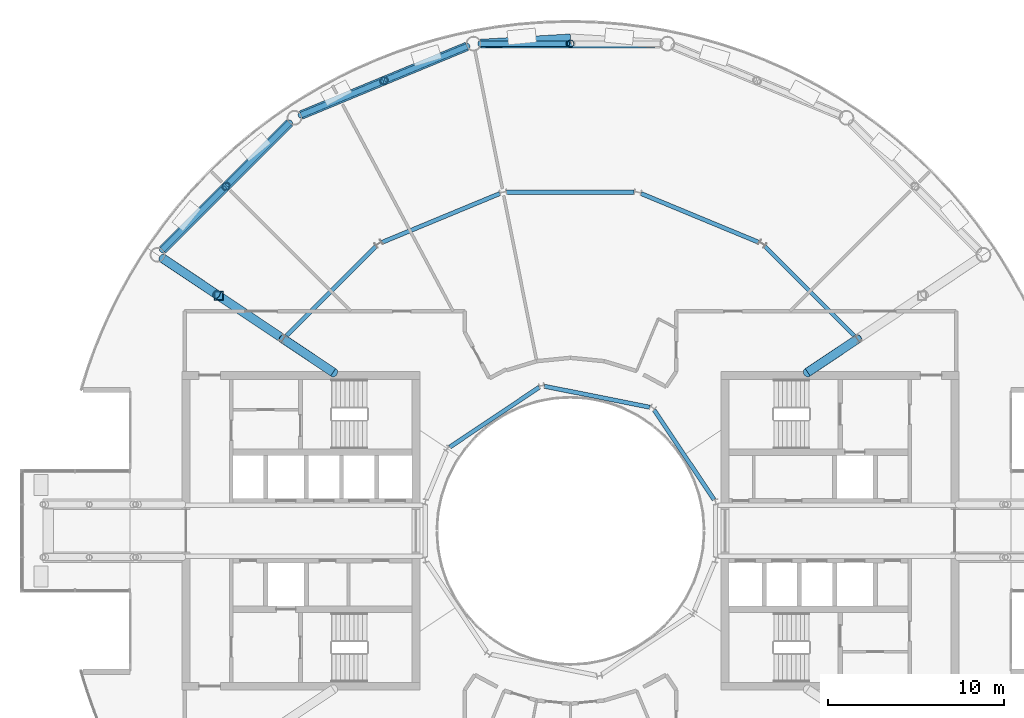
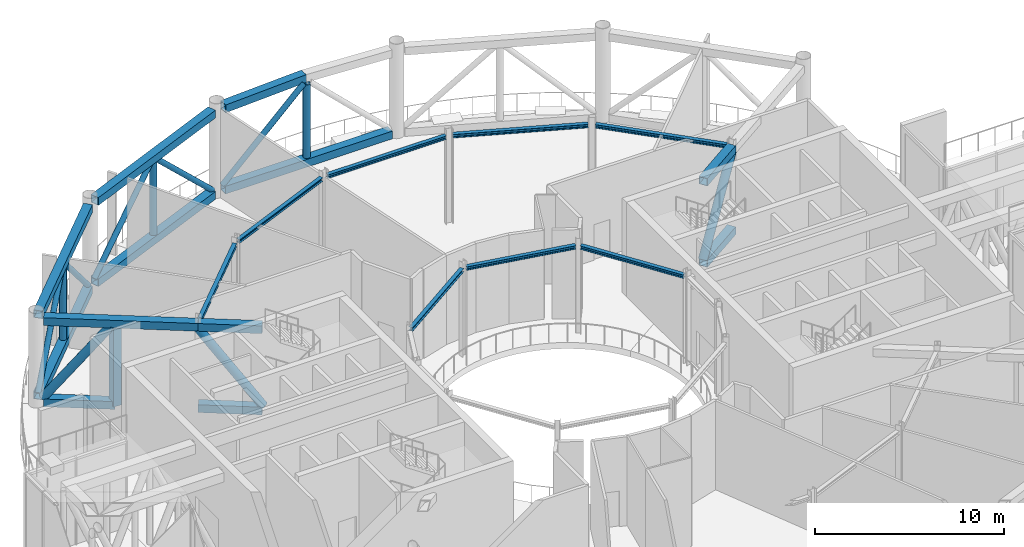
# One storey, part 9 of 24: 20 beams, 12 members.
"""IFC4 building model written with IfcOpenShell, lengths in metres."""

from ifc_helpers import new_model, si_unit, direction, frame, origin, origin_2d, place, context, subcontext, project, spatial, hollow_rectangle, hollow_circle, i_section, extrude, material, material_profile, profile_set, type_object, element, save


model = new_model("IFC4")

# Units and contexts
model_context = context("Model", 3, precision=1e-05, world=origin(), true_north=direction((0.0, 1.0)))
body_context = subcontext(model_context, "Body", "Model", "MODEL_VIEW")
ifc_project = project(units=[si_unit("LENGTHUNIT", "METRE"), si_unit("AREAUNIT", "SQUARE_METRE"), si_unit("VOLUMEUNIT", "CUBIC_METRE"), si_unit("PLANEANGLEUNIT", "RADIAN"), si_unit("MASSUNIT", "GRAM", prefix="KILO")], contexts=[model_context])

# Site, building, storey
site_placement = place(None, origin())
site = spatial("IfcSite", under=ifc_project, at=site_placement, CompositionType="ELEMENT")
building_placement = place(site_placement, origin())
building = spatial("IfcBuilding", under=site, at=building_placement, Name="Maasbend Ring Residences", CompositionType="ELEMENT")
storey_placement = place(building_placement, frame((0.0, 0.0, 221.85009765625)))
storey = spatial("IfcBuildingStorey", under=building, at=storey_placement, Name="L64", CompositionType="ELEMENT", Elevation=221.85009765625)

# Beams
ifc_material_1 = material(Name="Steel S460M", Category="steel")
ifc_material_profile_1 = material_profile(ifc_material_1, hollow_rectangle(XDim=0.5, YDim=0.5, WallThickness=0.030029296875, at=origin_2d()), Name="Belt truss chord BX 500x500x30")
ifc_profile_set_1 = profile_set([ifc_material_profile_1], Name="Steel S460M")
beam_type_1 = type_object("IfcBeamType", Name="Belt truss chord BX 500x500x30", PredefinedType="BEAM", material=ifc_profile_set_1)
beam_1_placement = place(storey_placement, frame((5.094970703125, 27.658203125, 0.25), z_axis=(-1.0, 0.0, 0.0), x_axis=(0.0, -1.0, 0.0)))
element("IfcBeam", 1, at=beam_1_placement, inside=storey, type_object=beam_type_1, Name="Belt truss", PredefinedType="BEAM", context=body_context, shape_type="SweptSolid", body=[
    extrude(hollow_rectangle(XDim=0.5, YDim=0.5, WallThickness=0.030029296875, at=origin_2d()), origin(), (0.0, 0.0, 1.0), 10.18994140625),
])
beam_2_placement = place(storey_placement, frame((0.0, 27.9580078125, 5.5), z_axis=(-0.998273218339, -0.058741650875, 0.0), x_axis=(0.058741650875, -0.998273218339, 0.0)))
element("IfcBeam", 2, at=beam_2_placement, inside=storey, type_object=beam_type_1, Name="Belt truss", PredefinedType="BEAM", context=body_context, shape_type="SweptSolid", body=[
    extrude(hollow_rectangle(XDim=0.5, YDim=0.5, WallThickness=0.030029296875, at=origin_2d()), origin(), (0.0, 0.0, 1.0), 5.103759765625),
])
for number, where, z_axis, x_axis, name in (
    (3, (-5.877197265625, 27.50244140625, 0.25), (-0.923883676188, -0.382673428492, 0.0), (0.382673428492, -0.923883676188, 0.0), "Belt truss"),
    (4, (-5.877197265625, 27.50244140625, 5.5), (-0.923883676188, -0.382673428492, 0.0), (0.382673428492, -0.923883676188, 0.0), "Belt truss"),
    (5, (-15.95458984375, 23.159912109375, 0.25), (-0.707106781187, -0.707106781187, 0.0), (0.707106781187, -0.707106781187, 0.0), "Belt truss"),
    (6, (-15.95458984375, 23.159912109375, 5.5), (-0.707106781187, -0.707106781187, 0.0), (0.707106781187, -0.707106781187, 0.0), "Belt truss"),
):
    element("IfcBeam", number, at=place(storey_placement, frame(where, z_axis=z_axis, x_axis=x_axis)), inside=storey, type_object=beam_type_1, Name=name, PredefinedType="BEAM", context=body_context, shape_type="SweptSolid", body=[
        extrude(hollow_rectangle(XDim=0.5, YDim=0.5, WallThickness=0.030029296875, at=origin_2d()), origin(), (0.0, 0.0, 1.0), 10.18994140625),
    ])

# Members
ifc_material_2 = material(Name="Steel S460NH", Category="steel")
ifc_material_profile_2 = material_profile(ifc_material_2, hollow_circle(Radius=0.161865234375, WallThickness=0.012451171875, at=origin_2d()), Name="Belt truss diagonal CHS 323.9x12.5")
ifc_profile_set_2 = profile_set([ifc_material_profile_2], Name="Steel S460NH")
member_type_1 = type_object("IfcMemberType", Name="Belt truss diagonal CHS 323.9x12.5", PredefinedType="BRACE", material=ifc_profile_set_2)
for number, where, z_axis, x_axis, name in (
    (7, (-0.151611328125, 27.658203125, 5.2998046875), (-0.7174451099, 0.0, -0.696615040235), (0.0, -1.0, 0.0), "Belt truss diagonal"),
    (8, (-5.82958984375, 27.522216796875, 0.449951171875), (-0.662822090686, -0.274548126976, 0.696627735647), (0.38268132365, -0.923880405967, 0.0), "Belt truss diagonal"),
    (9, (-10.724609375, 25.49462890625, 5.2998046875), (-0.662822090686, -0.274548126976, -0.696627735647), (0.38268132365, -0.923880405967, 0.0), "Belt truss diagonal"),
    (10, (-15.918212890625, 23.1962890625, 0.449951171875), (-0.50729843003, -0.50729843003, 0.69663233185), (0.707106781187, -0.707106781187, 0.0), "Belt truss diagonal"),
    (11, (-19.66455078125, 19.449951171875, 5.2998046875), (-0.50729843003, -0.50729843003, -0.69663233185), (0.707106781187, -0.707106781187, 0.0), "Belt truss diagonal"),
):
    element("IfcMember", number, at=place(storey_placement, frame(where, z_axis=z_axis, x_axis=x_axis)), inside=storey, type_object=member_type_1, Name=name, PredefinedType="BRACE", context=body_context, shape_type="SweptSolid", body=[
        extrude(hollow_circle(Radius=0.161865234375, WallThickness=0.012451171875, at=origin_2d()), origin(), (0.0, 0.0, 1.0), 6.9619140625),
    ])
ifc_material_3 = material(Name="Steel S460NH", Category="steel")
ifc_material_profile_3 = material_profile(ifc_material_3, hollow_circle(Radius=0.203125, WallThickness=0.01611328125, at=origin_2d()), Name="Belt truss post CHS 406.4x16")
ifc_profile_set_3 = profile_set([ifc_material_profile_3], Name="Steel S460NH")
member_type_2 = type_object("IfcMemberType", Name="Belt truss post CHS 406.4x16", PredefinedType="POST", material=ifc_profile_set_3)
for number, where, z_axis, x_axis, name in (
    (12, (0.0, 27.658203125, 0.5), (0.0, 0.0, 1.0), (1.0, 0.0, 0.0), "Belt truss post"),
    (13, (-10.584228515625, 25.552734375, 0.5), (0.0, 0.0, 1.0), (1.0, 0.0, 0.0), "Belt truss post"),
    (14, (-19.55712890625, 19.55712890625, 0.5), (0.0, 0.0, 1.0), (1.0, 0.0, 0.0), "Belt truss post"),
):
    element("IfcMember", number, at=place(storey_placement, frame(where, z_axis=z_axis, x_axis=x_axis)), inside=storey, type_object=member_type_2, Name=name, PredefinedType="POST", context=body_context, shape_type="SweptSolid", body=[
        extrude(hollow_circle(Radius=0.203125, WallThickness=0.01611328125, at=origin_2d()), origin(), (0.0, 0.0, 1.0), 4.75),
    ])

# Beams
ifc_material_4 = material(Name="Steel S355J2", Category="steel")
ifc_material_profile_4 = material_profile(ifc_material_4, i_section(OverallWidth=0.239990234375, OverallDepth=0.22998046875, WebThickness=0.007568359375, FlangeThickness=0.011962890625, FilletRadius=0.02099609375, at=origin_2d()), Name="HEA 240")
ifc_profile_set_4 = profile_set([ifc_material_profile_4], Name="Steel S355J2")
beam_type_2 = type_object("IfcBeamType", Name="Corridor ring beam HEA 240", PredefinedType="BEAM", material=ifc_profile_set_4)
beam_3_placement = place(storey_placement, frame((16.152587890625, 11.033447265625, 5.635009765625), z_axis=(-0.707106781187, 0.707106781187, 0.0), x_axis=(-0.707106781187, -0.707106781187, 0.0)))
element("IfcBeam", 15, at=beam_3_placement, inside=storey, type_object=beam_type_2, Name="Corridor ring beam", PredefinedType="BEAM", context=body_context, shape_type="SweptSolid", body=[
    extrude(i_section(OverallWidth=0.239990234375, OverallDepth=0.22998046875, WebThickness=0.007568359375, FlangeThickness=0.011962890625, FilletRadius=0.02099609375, at=origin_2d()), origin(), (0.0, 0.0, 1.0), 7.239501953125),
])
for number, where, z_axis, x_axis, name in (
    (16, (10.70068359375, 16.374755859375, 5.635009765625), (-0.923865162022, 0.382718123952, 0.0), (-0.382718123952, -0.923865162022, 0.0), "Corridor ring beam"),
    (17, (3.619873046875, 19.223388671875, 5.635009765625), (-1.0, 0.0, 0.0), (0.0, -1.0, 0.0), "Corridor ring beam"),
    (18, (-4.01220703125, 19.1455078125, 5.635009765625), (-0.923865162022, -0.382718123952, 0.0), (0.382718123952, -0.923865162022, 0.0), "Corridor ring beam"),
):
    element("IfcBeam", number, at=place(storey_placement, frame(where, z_axis=z_axis, x_axis=x_axis)), inside=storey, type_object=beam_type_2, Name=name, PredefinedType="BEAM", context=body_context, shape_type="SweptSolid", body=[
        extrude(i_section(OverallWidth=0.239990234375, OverallDepth=0.22998046875, WebThickness=0.007568359375, FlangeThickness=0.011962890625, FilletRadius=0.02099609375, at=origin_2d()), origin(), (0.0, 0.0, 1.0), 7.23974609375),
    ])
beam_4_placement = place(storey_placement, frame((-11.033447265625, 16.152587890625, 5.635009765625), z_axis=(-0.707106781187, -0.707106781187, 0.0), x_axis=(0.707106781187, -0.707106781187, 0.0)))
element("IfcBeam", 19, at=beam_4_placement, inside=storey, type_object=beam_type_2, Name="Corridor ring beam", PredefinedType="BEAM", context=body_context, shape_type="SweptSolid", body=[
    extrude(i_section(OverallWidth=0.239990234375, OverallDepth=0.22998046875, WebThickness=0.007568359375, FlangeThickness=0.011962890625, FilletRadius=0.02099609375, at=origin_2d()), origin(), (0.0, 0.0, 1.0), 7.239501953125),
])
ifc_material_5 = material(Name="Steel S460M", Category="steel")
ifc_material_profile_5 = material_profile(ifc_material_5, hollow_rectangle(XDim=0.5, YDim=0.5, WallThickness=0.030029296875, at=origin_2d()), Name="Outrigger truss chord BX 500x500x30")
ifc_profile_set_5 = profile_set([ifc_material_profile_5], Name="Steel S460M")
beam_type_3 = type_object("IfcBeamType", Name="Outrigger truss chord BX 500x500x30", PredefinedType="BEAM", material=ifc_profile_set_5)
for number, where, z_axis, x_axis, name in (
    (20, (16.2900390625, 10.884765625, 0.25), (-0.831451918965, -0.555596712058, 0.0), (0.555596712058, -0.831451918965, 0.0), "Outrigger truss"),
    (21, (16.2900390625, 10.884765625, 5.5), (-0.831451918965, -0.555596712058, 0.0), (0.555596712058, -0.831451918965, 0.0), "Outrigger truss"),
):
    element("IfcBeam", number, at=place(storey_placement, frame(where, z_axis=z_axis, x_axis=x_axis)), inside=storey, type_object=beam_type_3, Name=name, PredefinedType="BEAM", context=body_context, shape_type="SweptSolid", body=[
        extrude(hollow_rectangle(XDim=0.5, YDim=0.5, WallThickness=0.030029296875, at=origin_2d()), origin(), (0.0, 0.0, 1.0), 3.392333984375),
    ])
beam_5_placement = place(storey_placement, frame((-23.109375, 15.44140625, 0.25), z_axis=(0.831444556462, -0.555607729904, 0.0), x_axis=(0.555607729904, 0.831444556462, 0.0)))
element("IfcBeam", 22, at=beam_5_placement, inside=storey, type_object=beam_type_3, Name="Outrigger truss", PredefinedType="BEAM", context=body_context, shape_type="SweptSolid", body=[
    extrude(hollow_rectangle(XDim=0.5, YDim=0.5, WallThickness=0.030029296875, at=origin_2d()), origin(), (0.0, 0.0, 1.0), 3.78564453125),
])
beam_6_placement = place(storey_placement, frame((-23.109375, 15.44140625, 5.5), z_axis=(0.831453297605, -0.555594648914, 0.0), x_axis=(0.555594648914, 0.831453297605, 0.0)))
element("IfcBeam", 23, at=beam_6_placement, inside=storey, type_object=beam_type_3, Name="Outrigger truss", PredefinedType="BEAM", context=body_context, shape_type="SweptSolid", body=[
    extrude(hollow_rectangle(XDim=0.5, YDim=0.5, WallThickness=0.030029296875, at=origin_2d()), origin(), (0.0, 0.0, 1.0), 8.185546875),
])
for number, where, z_axis, x_axis, name in (
    (24, (-16.2900390625, 10.884765625, 0.25), (0.831451918965, -0.555596712058, 0.0), (0.555596712058, 0.831451918965, 0.0), "Outrigger truss"),
    (25, (-16.2900390625, 10.884765625, 5.5), (0.831451918965, -0.555596712058, 0.0), (0.555596712058, 0.831451918965, 0.0), "Outrigger truss"),
):
    element("IfcBeam", number, at=place(storey_placement, frame(where, z_axis=z_axis, x_axis=x_axis)), inside=storey, type_object=beam_type_3, Name=name, PredefinedType="BEAM", context=body_context, shape_type="SweptSolid", body=[
        extrude(hollow_rectangle(XDim=0.5, YDim=0.5, WallThickness=0.030029296875, at=origin_2d()), origin(), (0.0, 0.0, 1.0), 3.392333984375),
    ])

# Members
ifc_material_6 = material(Name="Steel S460NH", Category="steel")
ifc_material_profile_6 = material_profile(ifc_material_6, hollow_circle(Radius=0.25390625, WallThickness=0.02490234375, at=origin_2d()), Name="Outrigger truss diagonal CHS 508x25")
ifc_profile_set_6 = profile_set([ifc_material_profile_6], Name="Steel S460NH")
member_type_3 = type_object("IfcMemberType", Name="Outrigger truss diagonal CHS 508x25", PredefinedType="BRACE", material=ifc_profile_set_6)
member_1_placement = place(storey_placement, frame((16.31982421875, 10.904541015625, 5.2998046875), z_axis=(-0.483259075881, -0.322882769865, -0.813761256453), x_axis=(0.555545703654, -0.831486001777, 0.0)))
element("IfcMember", 26, at=member_1_placement, inside=storey, type_object=member_type_3, Name="Outrigger truss diagonal", PredefinedType="BRACE", context=body_context, shape_type="SweptSolid", body=[
    extrude(hollow_circle(Radius=0.25390625, WallThickness=0.02490234375, at=origin_2d()), origin(), (0.0, 0.0, 1.0), 5.959716796875),
])
member_2_placement = place(storey_placement, frame((-23.140869140625, 15.462158203125, 0.449951171875), z_axis=(0.50066184566, -0.334511402539, 0.798398295259), x_axis=(0.555547100174, 0.83148506871, 0.0)))
element("IfcMember", 27, at=member_2_placement, inside=storey, type_object=member_type_3, Name="Outrigger truss diagonal", PredefinedType="BRACE", context=body_context, shape_type="SweptSolid", body=[
    extrude(hollow_circle(Radius=0.25390625, WallThickness=0.02490234375, at=origin_2d()), origin(), (0.0, 0.0, 1.0), 6.074462890625),
])
member_3_placement = place(storey_placement, frame((-16.31982421875, 10.904541015625, 5.2998046875), z_axis=(0.483259075881, -0.322882769865, -0.813761256453), x_axis=(0.555545703654, 0.831486001777, 0.0)))
element("IfcMember", 28, at=member_3_placement, inside=storey, type_object=member_type_3, Name="Outrigger truss diagonal", PredefinedType="BRACE", context=body_context, shape_type="SweptSolid", body=[
    extrude(hollow_circle(Radius=0.25390625, WallThickness=0.02490234375, at=origin_2d()), origin(), (0.0, 0.0, 1.0), 5.959716796875),
])
ifc_material_7 = material(Name="Steel S460M", Category="steel")
ifc_material_profile_7 = material_profile(ifc_material_7, hollow_rectangle(XDim=0.5, YDim=0.5, WallThickness=0.030029296875, at=origin_2d()), Name="Outrigger truss post BX 500x500x30")
ifc_profile_set_7 = profile_set([ifc_material_profile_7], Name="Steel S460M")
member_type_4 = type_object("IfcMemberType", Name="Outrigger truss post BX 500x500x30", PredefinedType="POST", material=ifc_profile_set_7)
member_4_placement = place(storey_placement, frame((-19.9619140625, 13.338134765625, 0.199951171875), z_axis=(0.0, 0.0, 1.0), x_axis=(1.0, 0.0, 0.0)))
element("IfcMember", 29, at=member_4_placement, inside=storey, type_object=member_type_4, Name="Outrigger truss post", PredefinedType="POST", context=body_context, shape_type="SweptSolid", body=[
    extrude(hollow_rectangle(XDim=0.5, YDim=0.5, WallThickness=0.030029296875, at=origin_2d()), origin(), (0.0, 0.0, 1.0), 5.050048828125),
])

# Beams
ifc_material_8 = material(Name="Steel S355J2", Category="steel")
ifc_material_profile_8 = material_profile(ifc_material_8, i_section(OverallWidth=0.239990234375, OverallDepth=0.22998046875, WebThickness=0.007568359375, FlangeThickness=0.011962890625, FilletRadius=0.02099609375, at=origin_2d()), Name="HEA 240")
ifc_profile_set_8 = profile_set([ifc_material_profile_8], Name="Steel S355J2")
beam_type_4 = type_object("IfcBeamType", Name="Well edge beam HEA 240", PredefinedType="BEAM", material=ifc_profile_set_8)
for number, where, z_axis, x_axis, name in (
    (30, (8.1513671875, 1.769287109375, 5.635009765625), (-0.555584356119, 0.831460175376, 0.0), (-0.831460175376, -0.555584356119, 0.0), "Well edge beam"),
    (31, (4.512939453125, 7.014892578125, 5.635009765625), (-0.980782836869, 0.195102606089, 0.0), (-0.195102606089, -0.980782836869, 0.0), "Well edge beam"),
    (32, (-1.769287109375, 8.1513671875, 5.635009765625), (-0.831460175376, -0.555584356119, 0.0), (0.555584356119, -0.831460175376, 0.0), "Well edge beam"),
):
    element("IfcBeam", number, at=place(storey_placement, frame(where, z_axis=z_axis, x_axis=x_axis)), inside=storey, type_object=beam_type_4, Name=name, PredefinedType="BEAM", context=body_context, shape_type="SweptSolid", body=[
        extrude(i_section(OverallWidth=0.239990234375, OverallDepth=0.22998046875, WebThickness=0.007568359375, FlangeThickness=0.011962890625, FilletRadius=0.02099609375, at=origin_2d()), origin(), (0.0, 0.0, 1.0), 6.115234375),
    ])

save(model, "model.ifc")
